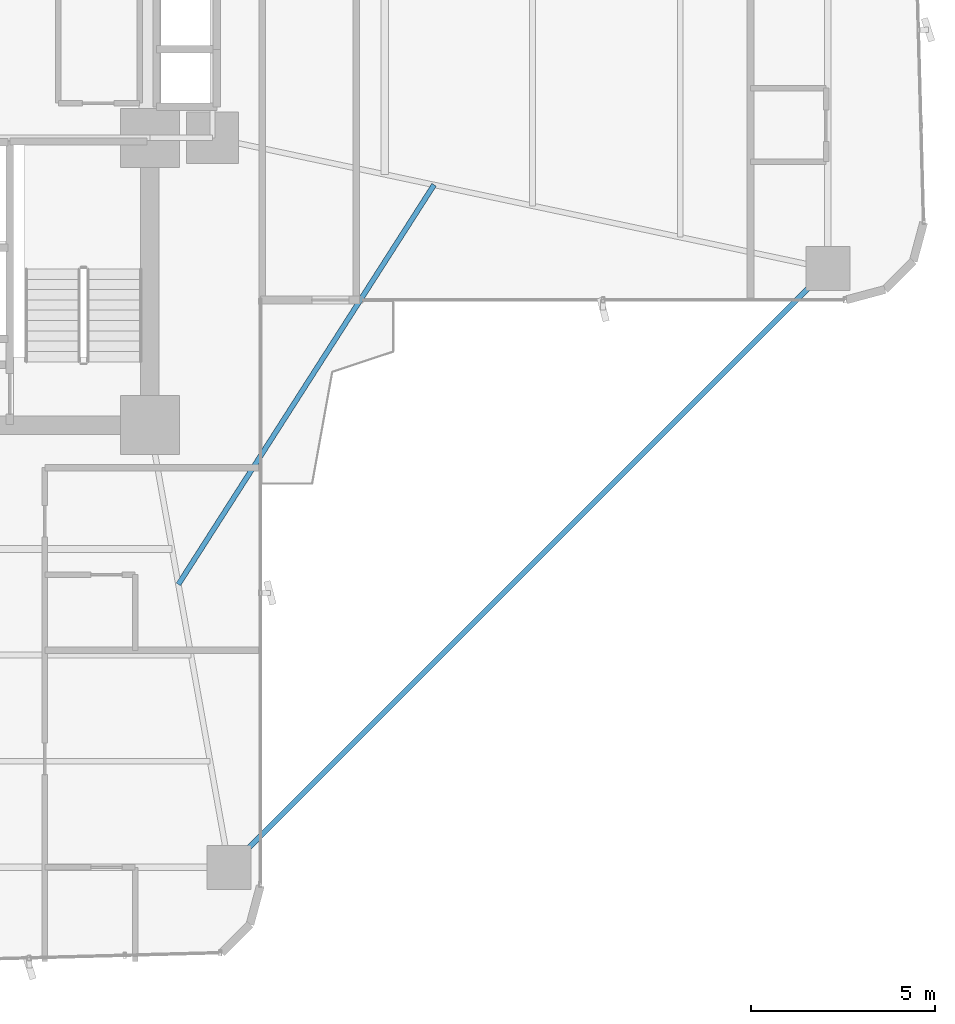
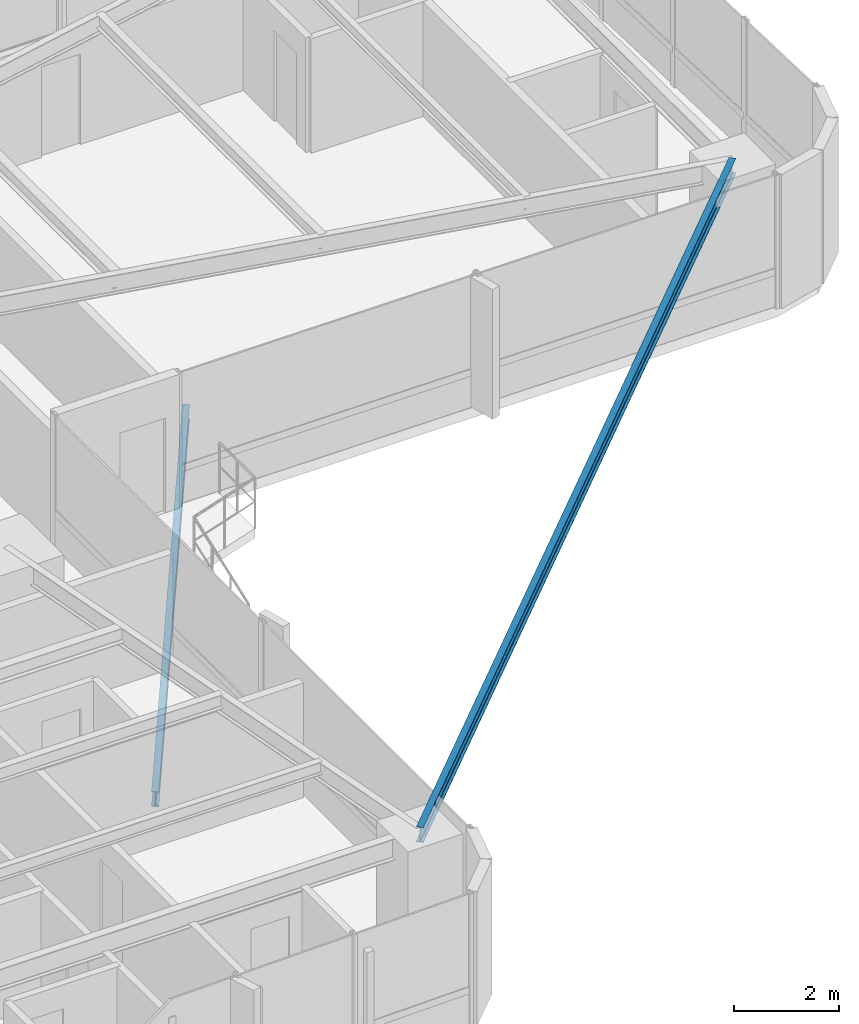
# One storey, part 13 of 26: 2 beams.
"""IFC4 building model written with IfcOpenShell, lengths in metres."""

from ifc_helpers import new_model, si_unit, direction, frame, origin, origin_2d, place, context, subcontext, project, spatial, i_section, extrude, source, transform, mapped, material, material_profile, profile_set, type_object, element, save


model = new_model("IFC4")

# Units and contexts
model_context = context("Model", 3, precision=1e-05, world=origin(), true_north=direction((0.0, 1.0)))
body_context = subcontext(model_context, "Body", "Model", "MODEL_VIEW")
ifc_project = project(units=[si_unit("LENGTHUNIT", "METRE"), si_unit("AREAUNIT", "SQUARE_METRE"), si_unit("VOLUMEUNIT", "CUBIC_METRE"), si_unit("PLANEANGLEUNIT", "RADIAN"), si_unit("MASSUNIT", "GRAM", prefix="KILO")], contexts=[model_context])

# Site, building, storey
site_placement = place(None, origin())
site = spatial("IfcSite", under=ifc_project, at=site_placement, CompositionType="ELEMENT")
building_placement = place(site_placement, origin())
building = spatial("IfcBuilding", under=site, at=building_placement, Name="Sahyath Konkavel Grand Hotel", CompositionType="ELEMENT")
storey_placement = place(building_placement, frame((0.0, 0.0, 61.10009765625)))
storey = spatial("IfcBuildingStorey", under=building, at=storey_placement, Name="L16", CompositionType="ELEMENT", Elevation=61.10009765625)

# Beams
ifc_material = material(Name="Steel E350", Category="steel")
ifc_material_profile_1 = material_profile(ifc_material, i_section(OverallWidth=0.139892578125, OverallDepth=0.35009765625, WebThickness=0.008056640625, FlangeThickness=0.01416015625, FilletRadius=0.013916015625, at=origin_2d()), Name="ISMB 350")
ifc_profile_set_1 = profile_set([ifc_material_profile_1], Name="Steel E350")
beam_type_1 = type_object("IfcBeamType", Name="BM-ISMB350", PredefinedType="BEAM", material=ifc_profile_set_1)
shared_shape_1 = source(origin(), body_context, "Body", "SweptSolid", [
    extrude(i_section(OverallWidth=0.139892578125, OverallDepth=0.35009765625, WebThickness=0.008056640625, FlangeThickness=0.01416015625, FilletRadius=0.013916015625, at=origin_2d()), origin(), (0.0, 0.0, 1.0), 22.98095703125),
])
beam_1_placement = place(storey_placement, frame((22.199951171875, -5.949951171875, 2.934814453125), z_axis=(-0.707106781187, -0.707106781187, 0.0), x_axis=(0.707106781187, -0.707106781187, 0.0)))
element("IfcBeam", 1, at=beam_1_placement, inside=storey, type_object=beam_type_1, Name="L16 Re-Entrant Tie Beam SE", PredefinedType="BEAM", context=body_context, shape_type="MappedRepresentation", body=[
    mapped(shared_shape_1, transform((0.0, 0.0, 0.0), scale=1.0)),
])
ifc_material_profile_2 = material_profile(ifc_material, i_section(OverallWidth=0.139892578125, OverallDepth=0.35009765625, WebThickness=0.008056640625, FlangeThickness=0.01416015625, FilletRadius=0.013916015625, at=origin_2d()), Name="ISMB 350")
ifc_profile_set_2 = profile_set([ifc_material_profile_2], Name="Steel E350")
beam_type_2 = type_object("IfcBeamType", Name="BM-BALC-CANT", PredefinedType="BEAM", material=ifc_profile_set_2)
shared_shape_2 = source(origin(), body_context, "Body", "SweptSolid", [
    extrude(i_section(OverallWidth=0.139892578125, OverallDepth=0.35009765625, WebThickness=0.008056640625, FlangeThickness=0.01416015625, FilletRadius=0.013916015625, at=origin_2d()), origin(), (0.0, 0.0, 1.0), 12.871826171875),
])
beam_2_placement = place(storey_placement, frame((4.573974609375, -14.52001953125, -0.4150390625), z_axis=(0.539003102535, 0.842303778608, 0.0), x_axis=(-0.842303778608, 0.539003102535, 0.0)))
element("IfcBeam", 2, at=beam_2_placement, inside=storey, type_object=beam_type_2, Name="L16 Balcony Cantilever Support Beam SE", PredefinedType="BEAM", context=body_context, shape_type="MappedRepresentation", body=[
    mapped(shared_shape_2, transform((0.0, 0.0, 0.0), scale=1.0)),
])

save(model, "model.ifc")
